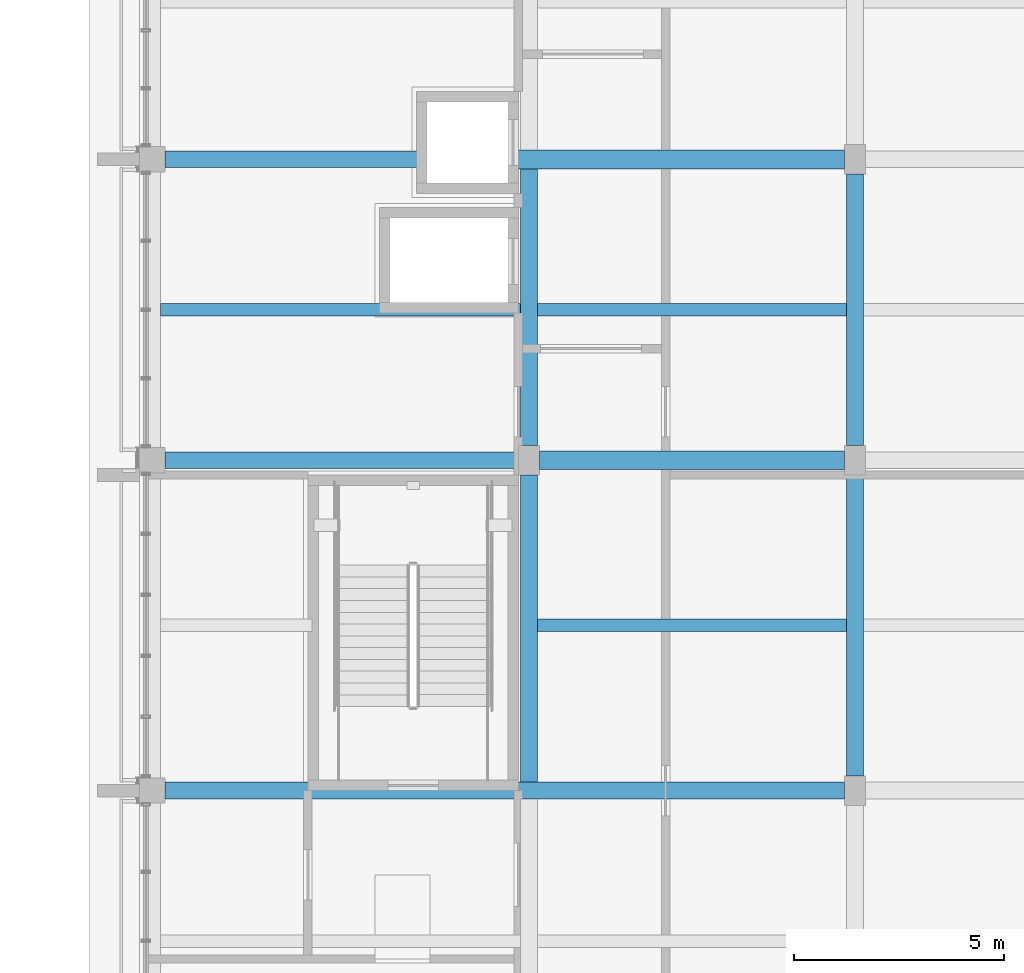
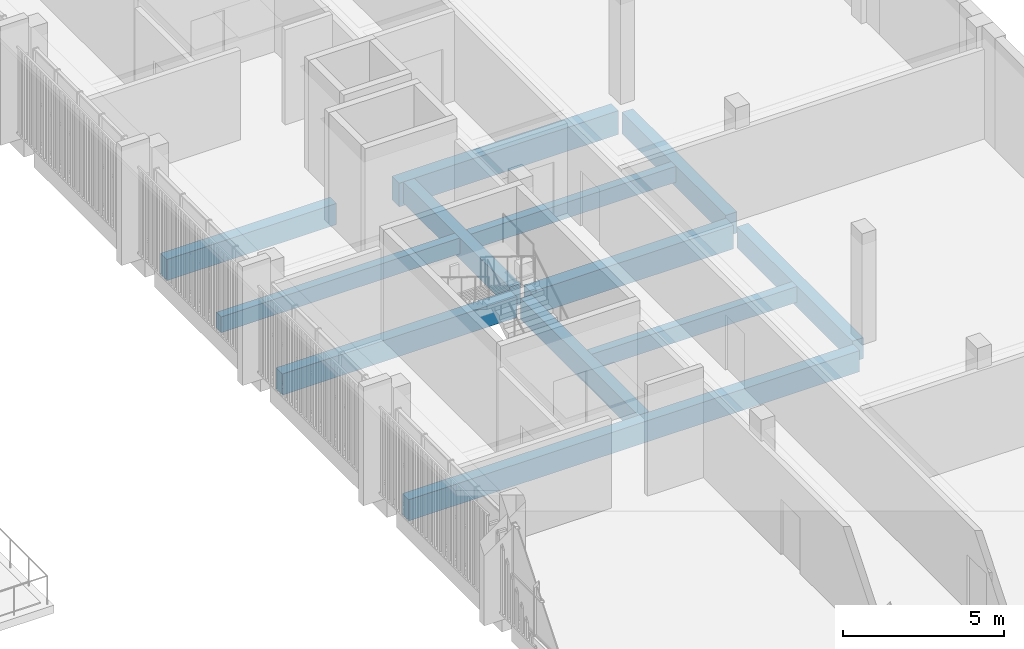
# One storey, part 25 of 98: 12 beams.
"""IFC4 building model written with IfcOpenShell, lengths in metres."""

from ifc_helpers import new_model, si_unit, direction, frame, origin, origin_2d, place, context, subcontext, project, spatial, rectangle, extrude, material, material_profile, profile_set, type_object, element, save


model = new_model("IFC4")

# Units and contexts
model_context = context("Model", 3, precision=1e-05, world=origin(), true_north=direction((0.0, 1.0)))
body_context = subcontext(model_context, "Body", "Model", "MODEL_VIEW")
ifc_project = project(units=[si_unit("LENGTHUNIT", "METRE"), si_unit("AREAUNIT", "SQUARE_METRE"), si_unit("VOLUMEUNIT", "CUBIC_METRE"), si_unit("PLANEANGLEUNIT", "RADIAN"), si_unit("MASSUNIT", "GRAM", prefix="KILO")], contexts=[model_context])

# Site, building, storey
site_placement = place(None, origin())
site = spatial("IfcSite", under=ifc_project, at=site_placement, CompositionType="ELEMENT")
building_placement = place(site_placement, origin())
building = spatial("IfcBuilding", under=site, at=building_placement, Name="Sun Court Science Centre", CompositionType="ELEMENT")
storey_placement = place(building_placement, frame((0.0, 0.0, 15.75)))
storey = spatial("IfcBuildingStorey", under=building, at=storey_placement, Name="L03", CompositionType="ELEMENT", Elevation=15.75)

# Beams
ifc_material_1 = material(Name="Concrete C25/30", Category="concrete")
ifc_material_profile_1 = material_profile(ifc_material_1, rectangle(XDim=0.39990234375, YDim=0.800048828125, at=origin_2d()), Name="RC 400x800")
ifc_profile_set_1 = profile_set([ifc_material_profile_1], Name="Concrete C25/30")
beam_type_1 = type_object("IfcBeamType", Name="RC girder 400x800", PredefinedType="BEAM", material=ifc_profile_set_1)
beam_1_placement = place(storey_placement, frame((78.60009765625, 36.0, -0.699951171875), z_axis=(1.0, 0.0, 0.0), x_axis=(0.0, 1.0, 0.0)))
element("IfcBeam", 1, at=beam_1_placement, inside=storey, type_object=beam_type_1, Name="Girder L03 row 5", PredefinedType="BEAM", context=body_context, shape_type="SweptSolid", body=[
    extrude(rectangle(XDim=0.39990234375, YDim=0.800048828125, at=origin_2d()), origin(), (0.0, 0.0, 1.0), 16.14990234375),
])
beam_2_placement = place(storey_placement, frame((78.60009765625, 43.85009765625, -0.699951171875), z_axis=(1.0, 0.0, 0.0), x_axis=(0.0, 1.0, 0.0)))
element("IfcBeam", 2, at=beam_2_placement, inside=storey, type_object=beam_type_1, Name="Girder L03 row 6", PredefinedType="BEAM", context=body_context, shape_type="SweptSolid", body=[
    extrude(rectangle(XDim=0.39990234375, YDim=0.800048828125, at=origin_2d()), origin(), (0.0, 0.0, 1.0), 8.39990234375),
])
beam_3_placement = place(storey_placement, frame((78.60009765625, 51.0, -0.699951171875), z_axis=(1.0, 0.0, 0.0), x_axis=(0.0, 1.0, 0.0)))
element("IfcBeam", 3, at=beam_3_placement, inside=storey, type_object=beam_type_1, Name="Girder L03 row 7", PredefinedType="BEAM", context=body_context, shape_type="SweptSolid", body=[
    extrude(rectangle(XDim=0.39990234375, YDim=0.800048828125, at=origin_2d()), origin(), (0.0, 0.0, 1.0), 6.077392578125),
])
beam_4_placement = place(storey_placement, frame((87.25, 36.199951171875, -0.699951171875), z_axis=(0.0, 1.0, 0.0), x_axis=(-1.0, 0.0, 0.0)))
element("IfcBeam", 4, at=beam_4_placement, inside=storey, type_object=beam_type_1, Name="Girder L03 line 2", PredefinedType="BEAM", context=body_context, shape_type="SweptSolid", body=[
    extrude(rectangle(XDim=0.39990234375, YDim=0.800048828125, at=origin_2d()), origin(), (0.0, 0.0, 1.0), 7.300048828125),
])
beam_5_placement = place(storey_placement, frame((87.25, 44.199951171875, -0.699951171875), z_axis=(0.0, 1.0, 0.0), x_axis=(-1.0, 0.0, 0.0)))
element("IfcBeam", 5, at=beam_5_placement, inside=storey, type_object=beam_type_1, Name="Girder L03 line 2", PredefinedType="BEAM", context=body_context, shape_type="SweptSolid", body=[
    extrude(rectangle(XDim=0.39990234375, YDim=0.800048828125, at=origin_2d()), origin(), (0.0, 0.0, 1.0), 6.574951171875),
])
beam_6_placement = place(storey_placement, frame((95.0, 36.35009765625, -0.699951171875), z_axis=(0.0, 1.0, 0.0), x_axis=(-1.0, 0.0, 0.0)))
element("IfcBeam", 6, at=beam_6_placement, inside=storey, type_object=beam_type_1, Name="Girder L03 line 3", PredefinedType="BEAM", context=body_context, shape_type="SweptSolid", body=[
    extrude(rectangle(XDim=0.39990234375, YDim=0.800048828125, at=origin_2d()), origin(), (0.0, 0.0, 1.0), 7.14990234375),
])
beam_7_placement = place(storey_placement, frame((95.0, 44.199951171875, -0.699951171875), z_axis=(0.0, 1.0, 0.0), x_axis=(-1.0, 0.0, 0.0)))
element("IfcBeam", 7, at=beam_7_placement, inside=storey, type_object=beam_type_1, Name="Girder L03 line 3", PredefinedType="BEAM", context=body_context, shape_type="SweptSolid", body=[
    extrude(rectangle(XDim=0.39990234375, YDim=0.800048828125, at=origin_2d()), origin(), (0.0, 0.0, 1.0), 6.449951171875),
])
ifc_material_2 = material(Name="Concrete C25/30", Category="concrete")
ifc_material_profile_2 = material_profile(ifc_material_2, rectangle(XDim=0.449951171875, YDim=0.89990234375, at=origin_2d()), Name="RC 450x900")
ifc_profile_set_2 = profile_set([ifc_material_profile_2], Name="Concrete C25/30")
beam_type_2 = type_object("IfcBeamType", Name="RC girder 450x900", PredefinedType="BEAM", material=ifc_profile_set_2)
beam_8_placement = place(storey_placement, frame((87.5, 43.85009765625, -0.75), z_axis=(1.0, 0.0, 0.0), x_axis=(0.0, 1.0, 0.0)))
element("IfcBeam", 8, at=beam_8_placement, inside=storey, type_object=beam_type_2, Name="Girder L03 row 6", PredefinedType="BEAM", context=body_context, shape_type="SweptSolid", body=[
    extrude(rectangle(XDim=0.449951171875, YDim=0.89990234375, at=origin_2d()), origin(), (0.0, 0.0, 1.0), 7.25),
])
beam_9_placement = place(storey_placement, frame((86.902587890625, 51.0, -0.75), z_axis=(1.0, 0.0, 0.0), x_axis=(0.0, 1.0, 0.0)))
element("IfcBeam", 9, at=beam_9_placement, inside=storey, type_object=beam_type_2, Name="Girder L03 row 7", PredefinedType="BEAM", context=body_context, shape_type="SweptSolid", body=[
    extrude(rectangle(XDim=0.449951171875, YDim=0.89990234375, at=origin_2d()), origin(), (0.0, 0.0, 1.0), 7.847412109375),
])
ifc_material_3 = material(Name="Concrete C25/30", Category="concrete")
ifc_material_profile_3 = material_profile(ifc_material_3, rectangle(XDim=0.300048828125, YDim=0.60009765625, at=origin_2d()), Name="RC 300x600")
ifc_profile_set_3 = profile_set([ifc_material_profile_3], Name="Concrete C25/30")
beam_type_3 = type_object("IfcBeamType", Name="RC joist 300x600", PredefinedType="JOIST", material=ifc_profile_set_3)
beam_10_placement = place(storey_placement, frame((87.449951171875, 39.925048828125, -0.60009765625), z_axis=(1.0, 0.0, 0.0), x_axis=(0.0, 1.0, 0.0)))
element("IfcBeam", 10, at=beam_10_placement, inside=storey, type_object=beam_type_3, Name="Joist L03", PredefinedType="JOIST", context=body_context, shape_type="SweptSolid", body=[
    extrude(rectangle(XDim=0.300048828125, YDim=0.60009765625, at=origin_2d()), origin(), (0.0, 0.0, 1.0), 7.35009765625),
])
beam_11_placement = place(storey_placement, frame((78.5, 47.425048828125, -0.60009765625), z_axis=(1.0, 0.0, 0.0), x_axis=(0.0, 1.0, 0.0)))
element("IfcBeam", 11, at=beam_11_placement, inside=storey, type_object=beam_type_3, Name="Joist L03", PredefinedType="JOIST", context=body_context, shape_type="SweptSolid", body=[
    extrude(rectangle(XDim=0.300048828125, YDim=0.60009765625, at=origin_2d()), origin(), (0.0, 0.0, 1.0), 8.550048828125),
])
beam_12_placement = place(storey_placement, frame((87.449951171875, 47.425048828125, -0.60009765625), z_axis=(1.0, 0.0, 0.0), x_axis=(0.0, 1.0, 0.0)))
element("IfcBeam", 12, at=beam_12_placement, inside=storey, type_object=beam_type_3, Name="Joist L03", PredefinedType="JOIST", context=body_context, shape_type="SweptSolid", body=[
    extrude(rectangle(XDim=0.300048828125, YDim=0.60009765625, at=origin_2d()), origin(), (0.0, 0.0, 1.0), 7.35009765625),
])

save(model, "model.ifc")
